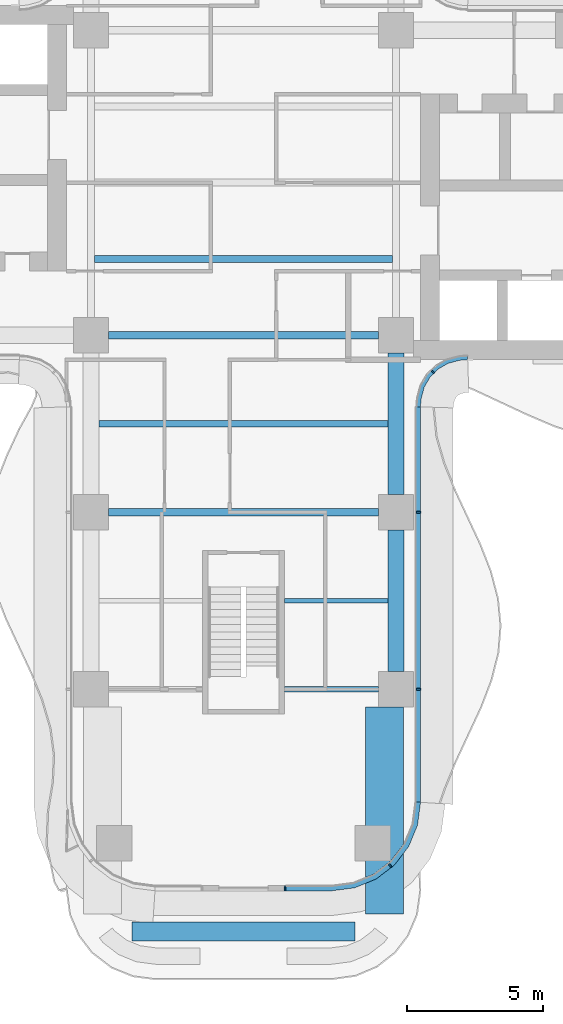
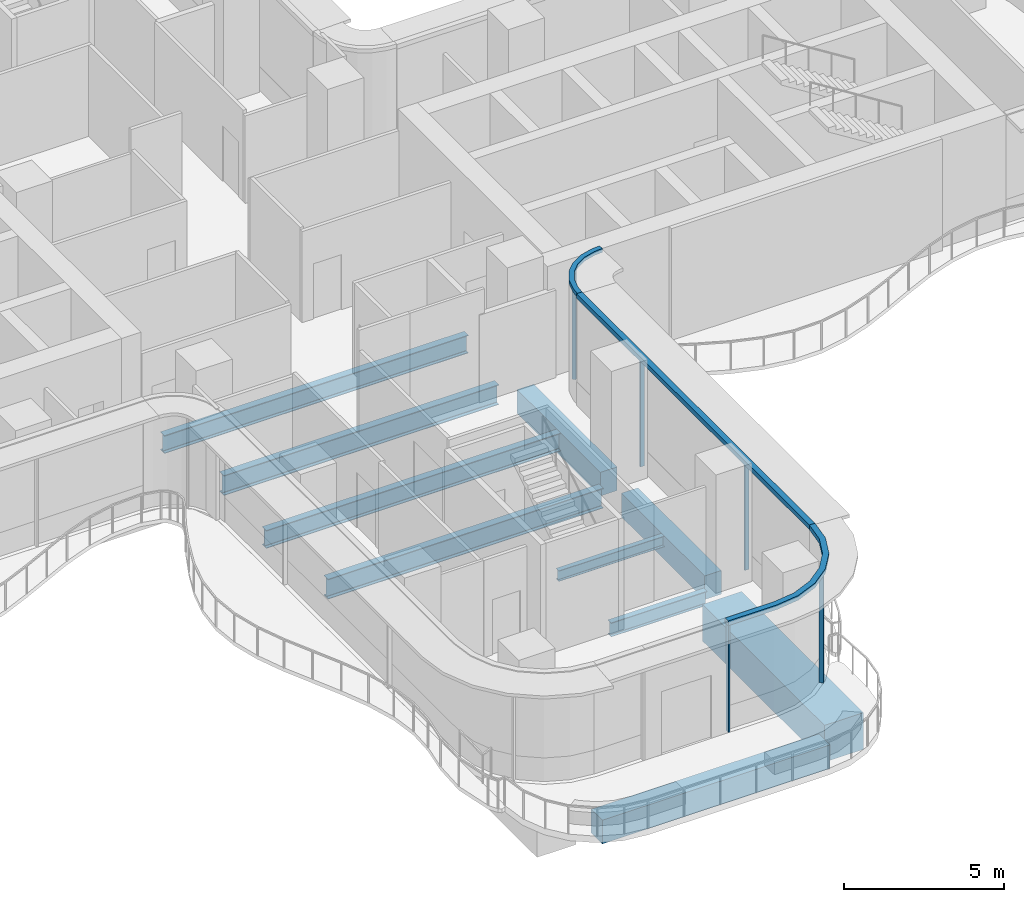
# One storey, part 5 of 22: 10 beams, 8 members, 3 elements without a shape of their own.
"""IFC4 building model written with IfcOpenShell, lengths in metres."""

from ifc_helpers import new_model, si_unit, direction, frame, origin, origin_2d, place, context, subcontext, project, spatial, polyline, rectangle, i_section, outline, extrude, source, transform, mapped, material, layer, layer_set, material_profile, profile_set, type_object, element, aggregate, save


model = new_model("IFC4")

# Units and contexts
model_context = context("Model", 3, precision=1e-05, world=origin(), true_north=direction((0.0, 1.0)))
body_context = subcontext(model_context, "Body", "Model", "MODEL_VIEW")
ifc_project = project(units=[si_unit("LENGTHUNIT", "METRE"), si_unit("AREAUNIT", "SQUARE_METRE"), si_unit("VOLUMEUNIT", "CUBIC_METRE"), si_unit("PLANEANGLEUNIT", "RADIAN"), si_unit("MASSUNIT", "GRAM", prefix="KILO")], contexts=[model_context])

# Site, building, storey
site_placement = place(None, origin())
site = spatial("IfcSite", under=ifc_project, at=site_placement, CompositionType="ELEMENT")
building_placement = place(site_placement, origin())
building = spatial("IfcBuilding", under=site, at=building_placement, Name="Trellis Farm Tower", CompositionType="ELEMENT")
storey_placement = place(building_placement, frame((0.0, 0.0, 124.5)))
storey = spatial("IfcBuildingStorey", under=building, at=storey_placement, Name="L26", CompositionType="ELEMENT", Elevation=124.5)

# Curtain wall, member
ifc_material_1 = material(Name="Aluminium and glass curtain wall", Category="aluminium")
ifc_layer_1 = layer(ifc_material_1, 0.18994140625)
ifc_layer_set_1 = layer_set([ifc_layer_1], Name="RIBBON CURTAIN WALL CW1")
curtain_wall_type_1 = type_object("IfcCurtainWallType", Name="RIBBON CURTAIN WALL CW1", PredefinedType="NOTDEFINED", material=ifc_layer_set_1)
placement_1 = place(storey_placement, origin())
curtain_wall_1 = element("IfcCurtainWall", 1, at=placement_1, inside=storey, type_object=curtain_wall_type_1, Name="CW1 004", PredefinedType="NOTDEFINED")
ifc_material_2 = material(Name="Aluminium extrusion 6063-T6", Category="aluminium")
ifc_layer_2 = layer(ifc_material_2, 0.199951171875)
ifc_layer_set_2 = layer_set([ifc_layer_2], Name="Aluminium extrusion 6063-T6")
member_type_1 = type_object("IfcMemberType", Name="CW1 TRANSOM 200x180", PredefinedType="USERDEFINED", material=ifc_layer_set_2)
placement_2 = place(storey_placement, frame((0.0, 0.0, 4.070068359375)))
member_1 = element("IfcMember", 2, at=placement_2, type_object=member_type_1, Name="TR1 004", ObjectType="TRANSOM", PredefinedType="USERDEFINED", context=body_context, shape_type="SweptSolid", body=[
    extrude(outline(polyline([(1.5, -26.0), (3.25, -26.0), (4.091064453125, -25.88916015625), (4.875, -25.564697265625), (5.548095703125, -25.048095703125), (6.064697265625, -24.375), (6.38916015625, -23.591064453125), (6.5, -22.75), (6.300048828125, -22.73681640625), (6.1943359375, -23.5390625), (5.889892578125, -24.274169921875), (5.405517578125, -24.905517578125), (4.774169921875, -25.389892578125), (4.0390625, -25.6943359375), (3.23681640625, -25.800048828125), (1.5, -25.800048828125), (1.5, -26.0)])), origin(), (0.0, 0.0, 1.0), 0.179931640625),
])

# Beams
ifc_material_3 = material(Name="Steel S355", Category="steel")
ifc_material_profile_1 = material_profile(ifc_material_3, i_section(OverallWidth=0.253662109375, OverallDepth=0.68359375, WebThickness=0.012451171875, FlangeThickness=0.021728515625, FilletRadius=0.01513671875, at=origin_2d()), Name="UB 686x254x140")
ifc_profile_set_1 = profile_set([ifc_material_profile_1], Name="Steel S355")
beam_type_1 = type_object("IfcBeamType", Name="UB 686x254x140 joist", PredefinedType="JOIST", material=ifc_profile_set_1)
shared_shape_1 = source(origin(), body_context, "Body", "SweptSolid", [
    extrude(i_section(OverallWidth=0.253662109375, OverallDepth=0.68359375, WebThickness=0.012451171875, FlangeThickness=0.021728515625, FilletRadius=0.01513671875, at=origin_2d()), origin(), (0.0, 0.0, 1.0), 10.93310546875),
])
beam_1_placement = place(storey_placement, frame((-5.466552734375, -2.800048828125, -0.591796875), z_axis=(1.0, 0.0, 0.0), x_axis=(0.0, 1.0, 0.0)))
element("IfcBeam", 3, at=beam_1_placement, inside=storey, type_object=beam_type_1, Name="Floor beam", PredefinedType="JOIST", context=body_context, shape_type="MappedRepresentation", body=[
    mapped(shared_shape_1, transform((0.0, 0.0, 0.0))),
])
ifc_material_profile_2 = material_profile(ifc_material_3, i_section(OverallWidth=0.177978515625, OverallDepth=0.406494140625, WebThickness=0.0078125, FlangeThickness=0.0126953125, FilletRadius=0.01025390625, at=origin_2d()), Name="UB 406x178x60")
ifc_profile_set_2 = profile_set([ifc_material_profile_2], Name="Steel S355")
beam_type_2 = type_object("IfcBeamType", Name="UB 406x178x60 joist", PredefinedType="JOIST", material=ifc_profile_set_2)
shared_shape_2 = source(origin(), body_context, "Body", "SweptSolid", [
    extrude(i_section(OverallWidth=0.177978515625, OverallDepth=0.406494140625, WebThickness=0.0078125, FlangeThickness=0.0126953125, FilletRadius=0.01025390625, at=origin_2d()), origin(), (0.0, 0.0, 1.0), 3.800048828125),
])
beam_2_placement = place(storey_placement, frame((1.5, -15.35009765625, -0.453125), z_axis=(1.0, 0.0, 0.0), x_axis=(0.0, 1.0, 0.0)))
element("IfcBeam", 4, at=beam_2_placement, inside=storey, type_object=beam_type_2, Name="Floor beam", PredefinedType="JOIST", context=body_context, shape_type="MappedRepresentation", body=[
    mapped(shared_shape_2, transform((0.0, 0.0, 0.0))),
])
shared_shape_3 = source(origin(), body_context, "Body", "SweptSolid", [
    extrude(i_section(OverallWidth=0.253662109375, OverallDepth=0.68359375, WebThickness=0.012451171875, FlangeThickness=0.021728515625, FilletRadius=0.01513671875, at=origin_2d()), origin(), (0.0, 0.0, 1.0), 10.60009765625),
])
beam_3_placement = place(storey_placement, frame((-5.300048828125, -8.85009765625, -0.591796875), z_axis=(1.0, 0.0, 0.0), x_axis=(0.0, 1.0, 0.0)))
element("IfcBeam", 5, at=beam_3_placement, inside=storey, type_object=beam_type_1, Name="Floor beam", PredefinedType="JOIST", context=body_context, shape_type="MappedRepresentation", body=[
    mapped(shared_shape_3, transform((0.0, 0.0, 0.0))),
])
ifc_material_profile_3 = material_profile(ifc_material_3, i_section(OverallWidth=0.209228515625, OverallDepth=0.533203125, WebThickness=0.010009765625, FlangeThickness=0.015625, FilletRadius=0.0126953125, at=origin_2d()), Name="UB 533x210x92")
ifc_profile_set_3 = profile_set([ifc_material_profile_3], Name="Steel S355")
beam_type_3 = type_object("IfcBeamType", Name="UB 533x210x92", PredefinedType="BEAM", material=ifc_profile_set_3)
shared_shape_4 = source(origin(), body_context, "Body", "SweptSolid", [
    extrude(i_section(OverallWidth=0.209228515625, OverallDepth=0.533203125, WebThickness=0.010009765625, FlangeThickness=0.015625, FilletRadius=0.0126953125, at=origin_2d()), origin(), (0.0, 0.0, 1.0), 3.449951171875),
])
beam_4_placement = place(storey_placement, frame((1.5, -18.60009765625, -0.5166015625), z_axis=(1.0, 0.0, 0.0), x_axis=(0.0, 1.0, 0.0)))
element("IfcBeam", 6, at=beam_4_placement, inside=storey, type_object=beam_type_3, Name="Girder", PredefinedType="BEAM", context=body_context, shape_type="MappedRepresentation", body=[
    mapped(shared_shape_4, transform((0.0, 0.0, 0.0))),
])
ifc_material_profile_4 = material_profile(ifc_material_3, i_section(OverallWidth=0.2666015625, OverallDepth=0.76220703125, WebThickness=0.014404296875, FlangeThickness=0.021484375, FilletRadius=0.0166015625, at=origin_2d()), Name="UB 762x267x173")
ifc_profile_set_4 = profile_set([ifc_material_profile_4], Name="Steel S355")
beam_type_4 = type_object("IfcBeamType", Name="UB 762x267x173", PredefinedType="BEAM", material=ifc_profile_set_4)
shared_shape_5 = source(origin(), body_context, "Body", "SweptSolid", [
    extrude(i_section(OverallWidth=0.2666015625, OverallDepth=0.76220703125, WebThickness=0.014404296875, FlangeThickness=0.021484375, FilletRadius=0.0166015625, at=origin_2d()), origin(), (0.0, 0.0, 1.0), 9.89990234375),
])
for number, where, z_axis, x_axis, name in (
    (7, (-4.949951171875, -12.10009765625, -0.631103515625), (1.0, 0.0, 0.0), (0.0, 1.0, 0.0), "Girder"),
    (8, (-4.949951171875, -5.60009765625, -0.631103515625), (1.0, 0.0, 0.0), (0.0, 1.0, 0.0), "Girder"),
):
    element("IfcBeam", number, at=place(storey_placement, frame(where, z_axis=z_axis, x_axis=x_axis)), inside=storey, type_object=beam_type_4, Name=name, PredefinedType="BEAM", context=body_context, shape_type="MappedRepresentation", body=[
        mapped(shared_shape_5, transform((0.0, 0.0, 0.0))),
    ])
ifc_material_4 = material(Name="Concrete C60/75", Category="concrete")
ifc_material_profile_5 = material_profile(ifc_material_4, rectangle(XDim=0.60009765625, YDim=0.89990234375, at=origin_2d()), Name="RC spandrel beam 600x900 C60/75")
ifc_profile_set_5 = profile_set([ifc_material_profile_5], Name="Concrete C60/75")
beam_type_5 = type_object("IfcBeamType", Name="RC spandrel beam 600x900 C60/75", PredefinedType="SPANDREL", material=ifc_profile_set_5)
shared_shape_6 = source(origin(), body_context, "Body", "SweptSolid", [
    extrude(rectangle(XDim=0.60009765625, YDim=0.89990234375, at=origin_2d()), origin(), (0.0, 0.0, 1.0), 5.199951171875),
])
for number, where, z_axis, x_axis, name in (
    (9, (5.60009765625, -17.949951171875, -0.699951171875), (0.0, 1.0, 0.0), (-1.0, 0.0, 0.0), "Girder"),
    (10, (5.60009765625, -11.449951171875, -0.699951171875), (0.0, 1.0, 0.0), (-1.0, 0.0, 0.0), "Girder"),
):
    element("IfcBeam", number, at=place(storey_placement, frame(where, z_axis=z_axis, x_axis=x_axis)), inside=storey, type_object=beam_type_5, Name=name, PredefinedType="SPANDREL", context=body_context, shape_type="MappedRepresentation", body=[
        mapped(shared_shape_6, transform((0.0, 0.0, 0.0))),
    ])
ifc_material_profile_6 = material_profile(ifc_material_4, rectangle(XDim=0.699951171875, YDim=0.89990234375, at=origin_2d()), Name="RC spandrel beam 700x900 C60/75")
ifc_profile_set_6 = profile_set([ifc_material_profile_6], Name="Concrete C60/75")
beam_type_6 = type_object("IfcBeamType", Name="RC spandrel beam 700x900 C60/75", PredefinedType="SPANDREL", material=ifc_profile_set_6)
shared_shape_7 = source(origin(), body_context, "Body", "SweptSolid", [
    extrude(rectangle(XDim=0.699951171875, YDim=0.89990234375, at=origin_2d()), origin(), (0.0, 0.0, 1.0), 8.2001953125),
])
beam_5_placement = place(storey_placement, frame((-4.10009765625, -27.5, -0.699951171875), z_axis=(1.0, 0.0, 0.0), x_axis=(0.0, 1.0, 0.0)))
element("IfcBeam", 11, at=beam_5_placement, inside=storey, type_object=beam_type_6, Name="Girder", PredefinedType="SPANDREL", context=body_context, shape_type="MappedRepresentation", body=[
    mapped(shared_shape_7, transform((0.0, 0.0, 0.0))),
])
ifc_material_5 = material(Name="Concrete C80/95", Category="concrete")
ifc_material_profile_7 = material_profile(ifc_material_5, rectangle(XDim=1.39990234375, YDim=1.39990234375, at=origin_2d()), Name="RC transfer beam 1400x1400 C80/95")
ifc_profile_set_7 = profile_set([ifc_material_profile_7], Name="Concrete C80/95")
beam_type_7 = type_object("IfcBeamType", Name="RC transfer beam 1400x1400 C80/95", PredefinedType="BEAM", material=ifc_profile_set_7)
shared_shape_8 = source(origin(), body_context, "Body", "SweptSolid", [
    extrude(rectangle(XDim=1.39990234375, YDim=1.39990234375, at=origin_2d()), origin(), (0.0, 0.0, 1.0), 7.60009765625),
])
beam_6_placement = place(storey_placement, frame((5.175048828125, -26.85009765625, -0.949951171875), z_axis=(0.0, 1.0, 0.0), x_axis=(-1.0, 0.0, 0.0)))
element("IfcBeam", 12, at=beam_6_placement, inside=storey, type_object=beam_type_7, Name="Transfer girder", PredefinedType="BEAM", context=body_context, shape_type="MappedRepresentation", body=[
    mapped(shared_shape_8, transform((0.0, 0.0, 0.0))),
])

# Member
ifc_material_profile_8 = material_profile(ifc_material_2, rectangle(XDim=0.06005859375, YDim=0.14990234375, at=origin_2d()), Name="MULLION 60x150")
ifc_profile_set_8 = profile_set([ifc_material_profile_8], Name="Aluminium extrusion 6063-T6")
member_type_2 = type_object("IfcMemberType", Name="CW1 MULLION 60x150", PredefinedType="MULLION", material=ifc_profile_set_8)
shared_shape_9 = source(origin(), body_context, "Body", "SweptSolid", [
    extrude(rectangle(XDim=0.06005859375, YDim=0.14990234375, at=origin_2d()), origin(), (0.0, 0.0, 1.0), 4.070068359375),
])
member_2_placement = place(storey_placement, frame((1.530029296875, -25.925048828125, 0.0), z_axis=(0.0, 0.0, 1.0), x_axis=(1.0, 0.0, 0.0)))
member_2 = element("IfcMember", 13, at=member_2_placement, type_object=member_type_2, Name="MU1 004-01", PredefinedType="MULLION", context=body_context, shape_type="MappedRepresentation", body=[
    mapped(shared_shape_9, transform((0.0, 0.0, 0.0))),
])

member_3_placement = place(storey_placement, frame((5.385498046875, -25.078369140625, 0.0), z_axis=(0.0, 0.0, 1.0), x_axis=(0.793353340291, 0.608761429009, 0.0)))
member_3 = element("IfcMember", 14, at=member_3_placement, type_object=member_type_2, Name="MU1 004-02", PredefinedType="MULLION", context=body_context, shape_type="MappedRepresentation", body=[
    mapped(shared_shape_9, transform((0.0, 0.0, 0.0))),
])

aggregate(curtain_wall_1, [member_2, member_3, member_1])

# Curtain wall, members
curtain_wall_2 = element("IfcCurtainWall", 15, at=placement_1, inside=storey, type_object=curtain_wall_type_1, Name="CW1 005", PredefinedType="NOTDEFINED")
member_4_placement = place(storey_placement, frame((6.425048828125, -18.60009765625, 0.0), z_axis=(0.0, 0.0, 1.0), x_axis=(0.0, 1.0, 0.0)))
member_4 = element("IfcMember", 16, at=member_4_placement, type_object=member_type_2, Name="MU1 005-01", PredefinedType="MULLION", context=body_context, shape_type="MappedRepresentation", body=[
    mapped(shared_shape_9, transform((0.0, 0.0, 0.0))),
])
member_5_placement = place(storey_placement, frame((6.425048828125, -12.10009765625, 0.0), z_axis=(0.0, 0.0, 1.0), x_axis=(0.0, 1.0, 0.0)))
member_5 = element("IfcMember", 17, at=member_5_placement, type_object=member_type_2, Name="MU1 005-02", PredefinedType="MULLION", context=body_context, shape_type="MappedRepresentation", body=[
    mapped(shared_shape_9, transform((0.0, 0.0, 0.0))),
])

ifc_layer_3 = layer(ifc_material_1, 0.166015625)
ifc_layer_set_3 = layer_set([ifc_layer_3], Name="WINTER GARDEN CURTAIN WALL CW3")
curtain_wall_type_2 = type_object("IfcCurtainWallType", Name="WINTER GARDEN CURTAIN WALL CW3", PredefinedType="NOTDEFINED", material=ifc_layer_set_3)
curtain_wall_3 = element("IfcCurtainWall", 18, at=placement_1, inside=storey, type_object=curtain_wall_type_2, Name="CW3 002", PredefinedType="NOTDEFINED")
ifc_material_profile_9 = material_profile(ifc_material_2, rectangle(XDim=0.050048828125, YDim=0.1201171875, at=origin_2d()), Name="MULLION 50x120")
ifc_profile_set_9 = profile_set([ifc_material_profile_9], Name="Aluminium extrusion 6063-T6")
member_type_3 = type_object("IfcMemberType", Name="CW3 MULLION 50x120", PredefinedType="MULLION", material=ifc_profile_set_9)
shared_shape_10 = source(origin(), body_context, "Body", "SweptSolid", [
    extrude(rectangle(XDim=0.050048828125, YDim=0.1201171875, at=origin_2d()), origin(), (0.0, 0.0, 1.0), 4.10009765625),
])
member_6_placement = place(storey_placement, frame((6.953125, -6.953125, 0.0), z_axis=(0.0, 0.0, 1.0), x_axis=(0.707106781187, 0.707106781187, 0.0)))
member_6 = element("IfcMember", 19, at=member_6_placement, type_object=member_type_3, Name="MU3 002-01", PredefinedType="MULLION", context=body_context, shape_type="MappedRepresentation", body=[
    mapped(shared_shape_10, transform((0.0, 0.0, 0.0))),
])
ifc_layer_4 = layer(ifc_material_2, 0.169921875)
ifc_layer_set_4 = layer_set([ifc_layer_4], Name="Aluminium extrusion 6063-T6")
member_type_4 = type_object("IfcMemberType", Name="CW3 TRANSOM 170x150", PredefinedType="USERDEFINED", material=ifc_layer_set_4)
shared_shape_11 = source(origin(), body_context, "Body", "SweptSolid", [
    extrude(outline(polyline([(6.5, -8.2314453125), (6.513916015625, -8.01953125), (6.527587890625, -7.91552734375), (6.63671875, -7.508544921875), (6.846923828125, -7.144287109375), (7.144287109375, -6.846923828125), (7.508544921875, -6.63671875), (7.91552734375, -6.527587890625), (8.01953125, -6.513916015625), (8.2314453125, -6.5), (8.225830078125, -6.330078125), (8.0029296875, -6.3447265625), (7.88232421875, -6.360595703125), (7.44287109375, -6.478271484375), (7.0400390625, -6.7109375), (6.7109375, -7.0400390625), (6.478271484375, -7.44287109375), (6.360595703125, -7.88232421875), (6.3447265625, -8.0029296875), (6.330078125, -8.225830078125), (6.5, -8.2314453125)])), origin(), (0.0, 0.0, 1.0), 0.14990234375),
])
member_7_placement = place(storey_placement, frame((0.0, 0.0, 4.10009765625)))
member_7 = element("IfcMember", 20, at=member_7_placement, type_object=member_type_4, Name="TR3 002", ObjectType="TRANSOM", PredefinedType="USERDEFINED", context=body_context, shape_type="MappedRepresentation", body=[
    mapped(shared_shape_11, transform((0.0, 0.0, 0.0))),
])
aggregate(curtain_wall_3, [member_6, member_7])

# Member
shared_shape_12 = source(origin(), body_context, "Body", "SweptSolid", [
    extrude(outline(polyline([(6.5, -22.75), (6.5, -8.2314453125), (6.300048828125, -8.224853515625), (6.300048828125, -22.73681640625), (6.5, -22.75)])), origin(), (0.0, 0.0, 1.0), 0.179931640625),
])
member_8 = element("IfcMember", 21, at=placement_2, type_object=member_type_1, Name="TR1 005", ObjectType="TRANSOM", PredefinedType="USERDEFINED", context=body_context, shape_type="MappedRepresentation", body=[
    mapped(shared_shape_12, transform((0.0, 0.0, 0.0))),
])

aggregate(curtain_wall_2, [member_4, member_5, member_8])

save(model, "model.ifc")
